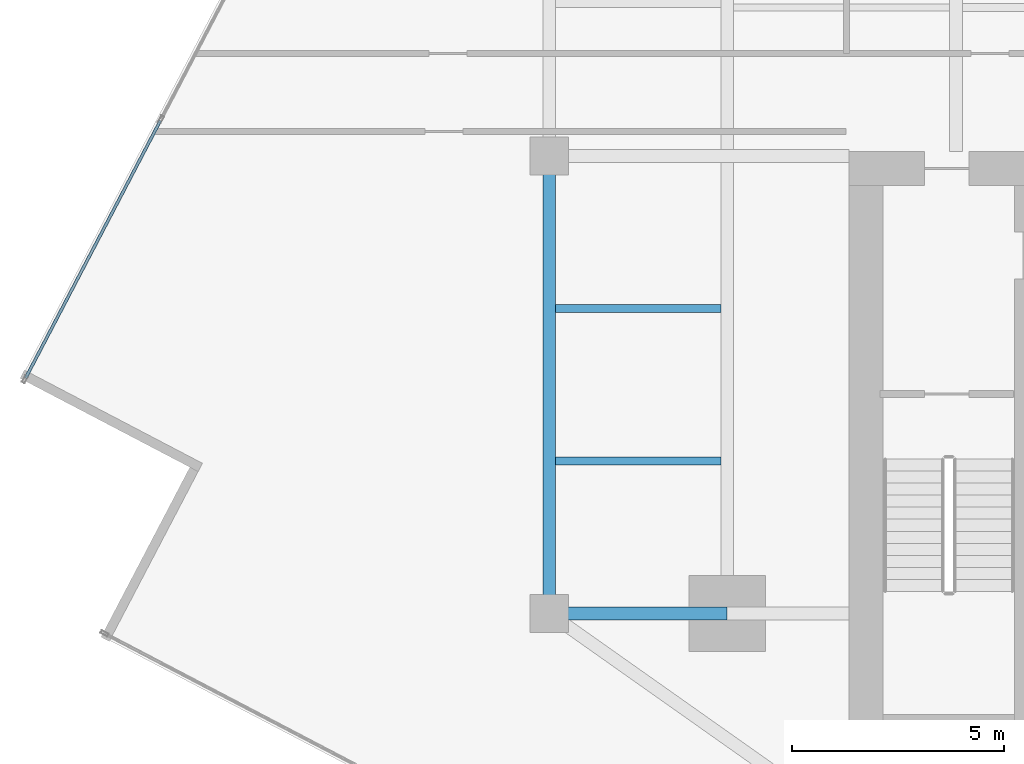
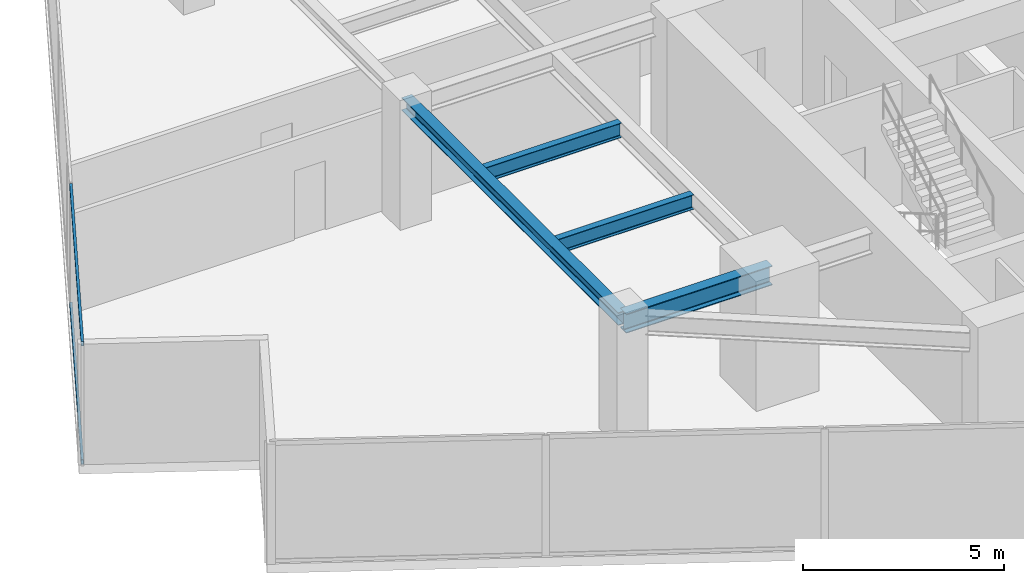
# One storey, part 6 of 27: 4 beams, 2 members, 1 element without a shape of its own.
"""IFC4 building model written with IfcOpenShell, lengths in metres."""

from ifc_helpers import new_model, si_unit, direction, frame, origin, origin_2d, place, context, subcontext, project, spatial, hollow_rectangle, i_section, extrude, source, transform, mapped, material, material_profile, profile_set, type_object, type_shapes, element, aggregate, save


model = new_model("IFC4")

# Units and contexts
model_context = context("Model", 3, precision=1e-05, world=origin(), true_north=direction((0.0, 1.0)))
body_context = subcontext(model_context, "Body", "Model", "MODEL_VIEW")
ifc_project = project(units=[si_unit("LENGTHUNIT", "METRE"), si_unit("AREAUNIT", "SQUARE_METRE"), si_unit("VOLUMEUNIT", "CUBIC_METRE"), si_unit("PLANEANGLEUNIT", "RADIAN"), si_unit("MASSUNIT", "GRAM", prefix="KILO")], contexts=[model_context])

# Site, building, storey
site_placement = place(None, origin())
site = spatial("IfcSite", under=ifc_project, at=site_placement, CompositionType="ELEMENT")
building_placement = place(site_placement, origin())
building = spatial("IfcBuilding", under=site, at=building_placement, Name="Krantzveldt Concourse Tower", CompositionType="ELEMENT")
storey_placement = place(building_placement, frame((0.0, 0.0, 158.050048828125)))
storey = spatial("IfcBuildingStorey", under=building, at=storey_placement, Name="L38", CompositionType="ELEMENT", Elevation=158.050048828125)

# Beams
ifc_material_1 = material(Name="Steel S355JR", Category="steel")
ifc_material_profile_1 = material_profile(ifc_material_1, i_section(OverallWidth=0.300048828125, OverallDepth=0.590087890625, WebThickness=0.012939453125, FlangeThickness=0.02490234375, FilletRadius=0.027099609375, at=origin_2d()), Name="Steel S355JR", Category="steel")
ifc_profile_set_1 = profile_set([ifc_material_profile_1], Name="Steel S355JR - HEA 600")
beam_type_1 = type_object("IfcBeamType", Name="BM-B-HEA600", PredefinedType="BEAM", material=ifc_profile_set_1)
shared_shape_1 = source(origin(), body_context, "Body", "SweptSolid", [
    extrude(i_section(OverallWidth=0.300048828125, OverallDepth=0.590087890625, WebThickness=0.012939453125, FlangeThickness=0.02490234375, FilletRadius=0.027099609375, at=origin_2d()), origin(), (0.0, 0.0, 1.0), 4.199951171875),
])
type_shapes(beam_type_1, [shared_shape_1])
beam_1_placement = place(storey_placement, frame((21.0, 15.89990234375, 3.375), z_axis=(1.0, 0.0, 0.0), x_axis=(0.0, 1.0, 0.0)))
element("IfcBeam", 1, at=beam_1_placement, inside=storey, type_object=beam_type_1, Name="L38 Tower Girder BR-RL1", PredefinedType="BEAM", context=body_context, shape_type="MappedRepresentation", body=[
    mapped(shared_shape_1, transform((0.0, 0.0, 0.0), x_axis=(1.0, 0.0, 0.0), y_axis=(0.0, 1.0, 0.0), z_axis=(0.0, 0.0, 1.0), scale=1.0)),
])
ifc_material_profile_2 = material_profile(ifc_material_1, i_section(OverallWidth=0.300048828125, OverallDepth=0.389892578125, WebThickness=0.010986328125, FlangeThickness=0.01904296875, FilletRadius=0.027099609375, at=origin_2d()), Name="Steel S355JR", Category="steel")
ifc_profile_set_2 = profile_set([ifc_material_profile_2], Name="Steel S355JR - HEA 400")
beam_type_2 = type_object("IfcBeamType", Name="BM-SP-HEA400", PredefinedType="SPANDREL", material=ifc_profile_set_2)
shared_shape_2 = source(origin(), body_context, "Body", "SweptSolid", [
    extrude(i_section(OverallWidth=0.300048828125, OverallDepth=0.389892578125, WebThickness=0.010986328125, FlangeThickness=0.01904296875, FilletRadius=0.027099609375, at=origin_2d()), origin(), (0.0, 0.0, 1.0), 10.800048828125),
])
type_shapes(beam_type_2, [shared_shape_2])
beam_2_placement = place(storey_placement, frame((21.0, 15.89990234375, 3.474853515625), z_axis=(0.0, 1.0, 0.0), x_axis=(-1.0, 0.0, 0.0)))
element("IfcBeam", 2, at=beam_2_placement, inside=storey, type_object=beam_type_2, Name="L38 Tower Girder SP-R01", PredefinedType="SPANDREL", context=body_context, shape_type="MappedRepresentation", body=[
    mapped(shared_shape_2, transform((0.0, 0.0, 0.0), x_axis=(1.0, 0.0, 0.0), y_axis=(0.0, 1.0, 0.0), z_axis=(0.0, 0.0, 1.0), scale=1.0)),
])
ifc_material_profile_3 = material_profile(ifc_material_1, i_section(OverallWidth=0.18994140625, OverallDepth=0.449951171875, WebThickness=0.009521484375, FlangeThickness=0.0146484375, FilletRadius=0.02099609375, at=origin_2d()), Name="Steel S355JR", Category="steel")
ifc_profile_set_3 = profile_set([ifc_material_profile_3], Name="Steel S355JR - IPE 450")
beam_type_3 = type_object("IfcBeamType", Name="BM-J-IPE450", PredefinedType="JOIST", material=ifc_profile_set_3)
shared_shape_3 = source(origin(), body_context, "Body", "SweptSolid", [
    extrude(i_section(OverallWidth=0.18994140625, OverallDepth=0.449951171875, WebThickness=0.009521484375, FlangeThickness=0.0146484375, FilletRadius=0.02099609375, at=origin_2d()), origin(), (0.0, 0.0, 1.0), 3.900146484375),
])
type_shapes(beam_type_3, [shared_shape_3])
for number, where, z_axis, x_axis, name in (
    (3, (21.14990234375, 19.5, 3.445068359375), (1.0, 0.0, 0.0), (0.0, 1.0, 0.0), "L38 Secondary Floor Joist JW-1"),
    (4, (21.14990234375, 23.10009765625, 3.445068359375), (1.0, 0.0, 0.0), (0.0, 1.0, 0.0), "L38 Secondary Floor Joist JW-2"),
):
    element("IfcBeam", number, at=place(storey_placement, frame(where, z_axis=z_axis, x_axis=x_axis)), inside=storey, type_object=beam_type_3, Name=name, PredefinedType="JOIST", context=body_context, shape_type="MappedRepresentation", body=[
        mapped(shared_shape_3, transform((0.0, 0.0, 0.0), x_axis=(1.0, 0.0, 0.0), y_axis=(0.0, 1.0, 0.0), z_axis=(0.0, 0.0, 1.0), scale=1.0)),
    ])

# Curtain wall, members
ifc_material_2 = material(Name="Anodised aluminium 6063-T6", Category="aluminium")
curtain_wall_type = type_object("IfcCurtainWallType", Name="CW3", PredefinedType="USERDEFINED", material=ifc_material_2)
curtain_wall_placement = place(storey_placement, origin())
curtain_wall = element("IfcCurtainWall", 5, at=curtain_wall_placement, inside=storey, type_object=curtain_wall_type, Name="CW-L38-F01", ObjectType="UNITISED CURTAIN WALL", PredefinedType="USERDEFINED")
ifc_material_profile_4 = material_profile(ifc_material_2, hollow_rectangle(XDim=0.070068359375, YDim=0.139892578125, WallThickness=0.0048828125, at=origin_2d()), Name="Anodised aluminium 6063-T6", Category="aluminium")
ifc_profile_set_4 = profile_set([ifc_material_profile_4], Name="Anodised aluminium 6063-T6 - ALU-TRAN 140x70x5")
member_type = type_object("IfcMemberType", Name="CW-TRN-150", PredefinedType="USERDEFINED", material=ifc_profile_set_4)
shared_shape_4 = source(origin(), body_context, "Body", "SweptSolid", [
    extrude(hollow_rectangle(XDim=0.070068359375, YDim=0.139892578125, WallThickness=0.0048828125, at=origin_2d()), origin(), (0.0, 0.0, 1.0), 6.85498046875),
])
type_shapes(member_type, [shared_shape_4])
member_1_placement = place(storey_placement, frame((11.8193359375, 27.531982421875, 0.034912109375), z_axis=(-0.463704875487, -0.885989722542, 0.0), x_axis=(0.885989722542, -0.463704875487, 0.0)))
member_1 = element("IfcMember", 6, at=member_1_placement, type_object=member_type, Name="CW-Z34 transom 5.1", ObjectType="TRANSOM", PredefinedType="USERDEFINED", context=body_context, shape_type="MappedRepresentation", body=[
    mapped(shared_shape_4, transform((0.0, 0.0, 0.0), x_axis=(1.0, 0.0, 0.0), y_axis=(0.0, 1.0, 0.0), z_axis=(0.0, 0.0, 1.0), scale=1.0)),
])
member_2_placement = place(storey_placement, frame((11.8193359375, 27.531982421875, 3.635009765625), z_axis=(-0.463704875487, -0.885989722542, 0.0), x_axis=(0.885989722542, -0.463704875487, 0.0)))
member_2 = element("IfcMember", 7, at=member_2_placement, type_object=member_type, Name="CW-Z34 transom 5.2", ObjectType="TRANSOM", PredefinedType="USERDEFINED", context=body_context, shape_type="MappedRepresentation", body=[
    mapped(shared_shape_4, transform((0.0, 0.0, 0.0), x_axis=(1.0, 0.0, 0.0), y_axis=(0.0, 1.0, 0.0), z_axis=(0.0, 0.0, 1.0), scale=1.0)),
])
aggregate(curtain_wall, [member_1, member_2])

save(model, "model.ifc")
